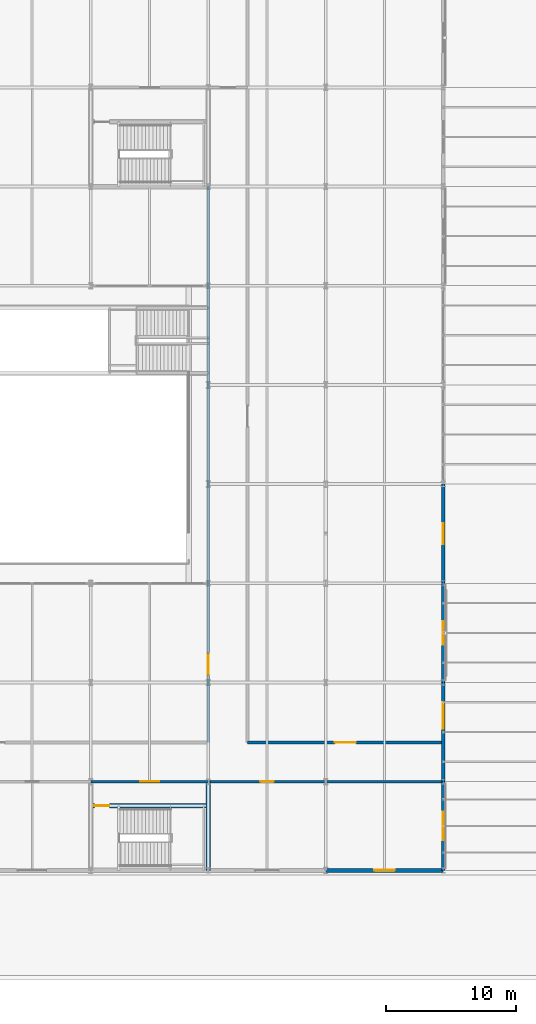
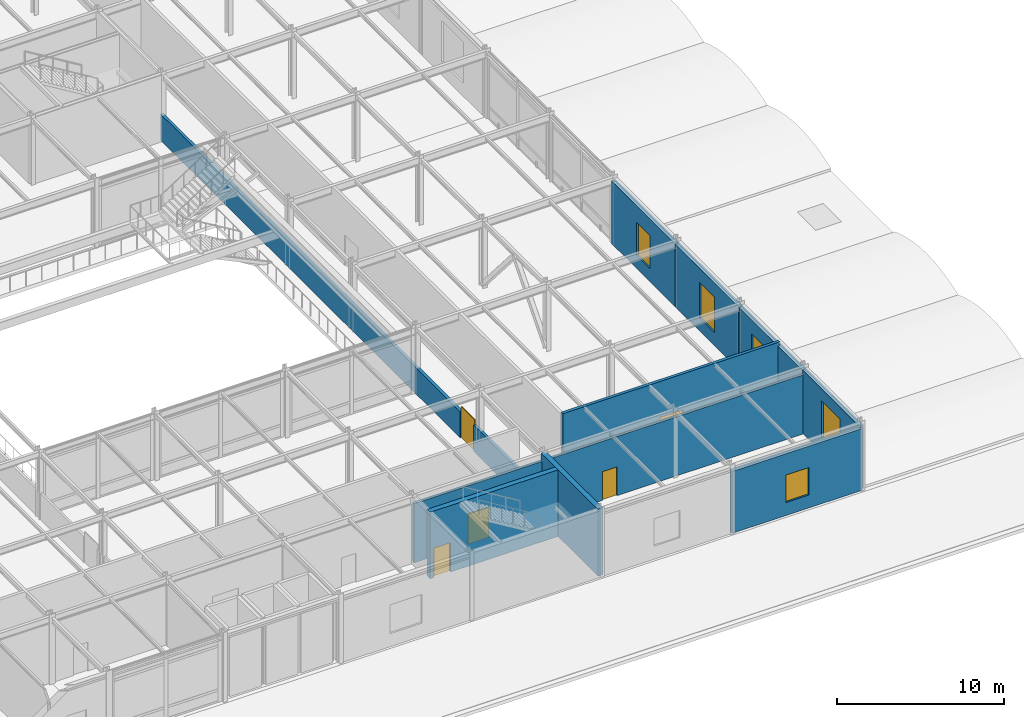
# One storey, part 102 of 113: 11 walls, 5 doors, 5 windows, 10 openings.
"""IFC4 building model written with IfcOpenShell, lengths in metres."""

from ifc_helpers import new_model, si_unit, direction, frame, frame_2d, origin, place, context, subcontext, project, spatial, rectangle, extrude, material, layer, layer_set, type_object, element, fill, save


model = new_model("IFC4")

# Units and contexts
model_context = context("Model", 3, precision=1e-05, world=origin(), true_north=direction((0.0, 1.0)))
body_context = subcontext(model_context, "Body", "Model", "MODEL_VIEW")
ifc_project = project(units=[si_unit("LENGTHUNIT", "METRE"), si_unit("AREAUNIT", "SQUARE_METRE"), si_unit("VOLUMEUNIT", "CUBIC_METRE"), si_unit("PLANEANGLEUNIT", "RADIAN"), si_unit("MASSUNIT", "GRAM", prefix="KILO")], contexts=[model_context])

# Site, building, storey
site_placement = place(None, origin())
site = spatial("IfcSite", under=ifc_project, at=site_placement, CompositionType="ELEMENT")
building_placement = place(site_placement, origin())
building = spatial("IfcBuilding", under=site, at=building_placement, Name="Shalkamar Park Central Library", CompositionType="ELEMENT")
storey_placement = place(building_placement, frame((0.0, 0.0, 5.39990234375)))
storey = spatial("IfcBuildingStorey", under=building, at=storey_placement, Name="L02", CompositionType="ELEMENT", Elevation=5.39990234375)

# Wall, opening, door
ifc_material_1 = material(Name="Fire-rated corridor partition wall", Category="masonry")
ifc_layer_1 = layer(ifc_material_1, 0.199951171875)
ifc_layer_set_1 = layer_set([ifc_layer_1], Name="CorridorFireWall_200")
wall_type_1 = type_object("IfcWallType", Name="Corridor Fire Wall 200", PredefinedType="PARTITIONING", material=ifc_layer_set_1)
wall_1_placement = place(storey_placement, frame((246.0, 255.199951171875, 0.0), z_axis=(0.0, 0.0, 1.0), x_axis=(1.0, 0.0, 0.0)))
wall_1 = element("IfcWall", 1, at=wall_1_placement, inside=storey, type_object=wall_type_1, Name="CORE-P3 Vestibule North Wall (L02)", PredefinedType="PARTITIONING", context=body_context, shape_type="SweptSolid", body=[
    extrude(rectangle(XDim=9.0, YDim=0.199951171875, at=frame_2d((4.5, 0.0))), origin(), (0.0, 0.0, 1.0), 4.30810546875),
])
opening_1_placement = place(wall_1_placement, frame((3.77490234375, 0.0, 0.0)))
opening_1 = element("IfcOpeningElement", 2, at=opening_1_placement, cuts=wall_1, Name="Opening DR-ST-P3-L02-VEST", PredefinedType="OPENING", context=body_context, shape_type="SweptSolid", body=[
    extrude(rectangle(XDim=1.449951171875, YDim=2.199951171875, at=frame_2d((0.72509765625, 1.10009765625))), frame((0.0, 0.11474609375, 0.0), z_axis=(0.0, -1.0, 0.0), x_axis=(1.0, 0.0, 0.0)), (0.0, 0.0, 1.0), 0.229736328125),
])
ifc_material_2 = material(Name="Steel S355", Category="steel")
door_type_1 = type_object("IfcDoorType", Name="Stair Vestibule Door 1450x2200", OperationType="DOUBLE_DOOR_SINGLE_SWING", PredefinedType="DOOR", material=ifc_material_2)
door_1_placement = place(opening_1_placement, frame((1.449951171875, 0.0, 0.0), z_axis=(0.0, 0.0, 1.0), x_axis=(-1.0, 0.0, 0.0)))
door_1 = element("IfcDoor", 3, at=door_1_placement, inside=storey, type_object=door_type_1, Name="Protected Stair ST-P3 Vestibule Door (L02)", OperationType="DOUBLE_DOOR_SINGLE_SWING", OverallHeight=2.199951171875, OverallWidth=1.449951171875, PredefinedType="DOOR", context=body_context, shape_type="SweptSolid", body=[
    extrude(rectangle(XDim=1.449951171875, YDim=2.199951171875, at=frame_2d((0.72509765625, 1.10009765625))), frame((0.0, 0.02490234375, 0.0), z_axis=(0.0, -1.0, 0.0), x_axis=(1.0, 0.0, 0.0)), (0.0, 0.0, 1.0), 0.050048828125),
])
fill(opening_1, door_1)

wall_2_placement = place(storey_placement, frame((255.0, 255.199951171875, 0.0), z_axis=(0.0, 0.0, 1.0), x_axis=(1.0, 0.0, 0.0)))
wall_2 = element("IfcWall", 4, at=wall_2_placement, inside=storey, type_object=wall_type_1, Name="Interior Partition WL-INT-L02-017", PredefinedType="PARTITIONING", context=body_context, shape_type="SweptSolid", body=[
    extrude(rectangle(XDim=18.0, YDim=0.199951171875, at=frame_2d((9.0, 0.0))), origin(), (0.0, 0.0, 1.0), 4.30810546875),
])
opening_2_placement = place(wall_2_placement, frame((4.0, 0.0, 0.0)))
opening_2 = element("IfcOpeningElement", 5, at=opening_2_placement, cuts=wall_2, Name="Opening DR-L02-017", PredefinedType="OPENING", context=body_context, shape_type="SweptSolid", body=[
    extrude(rectangle(XDim=1.0, YDim=2.10009765625, at=frame_2d((0.5, 1.050048828125))), frame((0.0, 0.11474609375, 0.0), z_axis=(0.0, -1.0, 0.0), x_axis=(1.0, 0.0, 0.0)), (0.0, 0.0, 1.0), 0.229736328125),
])
door_type_2 = type_object("IfcDoorType", Name="Interior Door Single 1000x2100", OperationType="NOTDEFINED", PredefinedType="DOOR", material=ifc_material_2)
door_2_placement = place(opening_2_placement, frame((1.0, 0.0, 0.0), z_axis=(0.0, 0.0, 1.0), x_axis=(-1.0, 0.0, 0.0)))
door_2 = element("IfcDoor", 6, at=door_2_placement, inside=storey, type_object=door_type_2, Name="L02 East Studio Door", OperationType="SINGLE_SWING_RIGHT", OverallHeight=2.10009765625, OverallWidth=1.0, PredefinedType="DOOR", context=body_context, shape_type="SweptSolid", body=[
    extrude(rectangle(XDim=1.0, YDim=2.10009765625, at=frame_2d((0.5, 1.050048828125))), frame((0.0, 0.02490234375, 0.0), z_axis=(0.0, -1.0, 0.0), x_axis=(1.0, 0.0, 0.0)), (0.0, 0.0, 1.0), 0.050048828125),
])
fill(opening_2, door_2)

wall_3_placement = place(storey_placement, frame((255.0, 258.199951171875, 0.0), z_axis=(0.0, 0.0, 1.0), x_axis=(0.0, 1.0, 0.0)))
wall_3 = element("IfcWall", 7, at=wall_3_placement, inside=storey, type_object=wall_type_1, Name="Interior Partition WL-INT-L02-027", PredefinedType="PARTITIONING", context=body_context, shape_type="SweptSolid", body=[
    extrude(rectangle(XDim=42.60009765625, YDim=0.199951171875, at=frame_2d((21.300048828125, 0.0))), origin(), (0.0, 0.0, 1.0), 1.908203125),
])
opening_3_placement = place(wall_3_placement, frame((5.199951171875, 0.0, 0.0)))
opening_3 = element("IfcOpeningElement", 8, at=opening_3_placement, cuts=wall_3, Name="Opening DR-L02-031", PredefinedType="OPENING", context=body_context, shape_type="SweptSolid", body=[
    extrude(rectangle(XDim=1.60009765625, YDim=2.25, at=frame_2d((0.800048828125, 1.125))), frame((0.0, 0.11474609375, 0.0), z_axis=(0.0, -1.0, 0.0), x_axis=(1.0, 0.0, 0.0)), (0.0, 0.0, 1.0), 0.229736328125),
])
door_type_3 = type_object("IfcDoorType", Name="Interior Door Double 1600x2250", OperationType="DOUBLE_DOOR_SINGLE_SWING", PredefinedType="DOOR", material=ifc_material_2)
door_3_placement = place(opening_3_placement, origin())
door_3 = element("IfcDoor", 9, at=door_3_placement, inside=storey, type_object=door_type_3, Name="Atrium East Corridor Door", OperationType="DOUBLE_DOOR_SINGLE_SWING", OverallHeight=2.25, OverallWidth=1.60009765625, PredefinedType="DOOR", context=body_context, shape_type="SweptSolid", body=[
    extrude(rectangle(XDim=1.60009765625, YDim=2.25, at=frame_2d((0.800048828125, 1.125))), frame((0.0, 0.02490234375, 0.0), z_axis=(0.0, -1.0, 0.0), x_axis=(1.0, 0.0, 0.0)), (0.0, 0.0, 1.0), 0.050048828125),
])
fill(opening_3, door_3)

wall_4_placement = place(storey_placement, frame((258.0, 258.199951171875, 0.0), z_axis=(0.0, 0.0, 1.0), x_axis=(1.0, 0.0, 0.0)))
wall_4 = element("IfcWall", 10, at=wall_4_placement, inside=storey, type_object=wall_type_1, Name="Interior Partition WL-INT-L02-029", PredefinedType="PARTITIONING", context=body_context, shape_type="SweptSolid", body=[
    extrude(rectangle(XDim=15.0, YDim=0.199951171875, at=frame_2d((7.5, 0.0))), origin(), (0.0, 0.0, 1.0), 4.860107421875),
])
opening_4_placement = place(wall_4_placement, frame((6.699951171875, 0.0, 0.0)))
opening_4 = element("IfcOpeningElement", 11, at=opening_4_placement, cuts=wall_4, Name="Opening DR-L02-035", PredefinedType="OPENING", context=body_context, shape_type="SweptSolid", body=[
    extrude(rectangle(XDim=1.60009765625, YDim=2.25, at=frame_2d((0.800048828125, 1.125))), frame((0.0, 0.11474609375, 0.0), z_axis=(0.0, -1.0, 0.0), x_axis=(1.0, 0.0, 0.0)), (0.0, 0.0, 1.0), 0.229736328125),
])
door_4_placement = place(opening_4_placement, origin())
door_4 = element("IfcDoor", 12, at=door_4_placement, inside=storey, type_object=door_type_3, Name="Foreign Literature Reading Room Door", OperationType="DOUBLE_DOOR_SINGLE_SWING", OverallHeight=2.25, OverallWidth=1.60009765625, PredefinedType="DOOR", context=body_context, shape_type="SweptSolid", body=[
    extrude(rectangle(XDim=1.60009765625, YDim=2.25, at=frame_2d((0.800048828125, 1.125))), frame((0.0, 0.02490234375, 0.0), z_axis=(0.0, -1.0, 0.0), x_axis=(1.0, 0.0, 0.0)), (0.0, 0.0, 1.0), 0.050048828125),
])
fill(opening_4, door_4)

# Wall
ifc_material_3 = material(Name="Concrete C40/50", Category="concrete")
ifc_layer_2 = layer(ifc_material_3, 0.35009765625)
ifc_layer_set_2 = layer_set([ifc_layer_2], Name="Concrete C40/50")
wall_type_2 = type_object("IfcWallType", Name="Podium Core Shear Wall 350", PredefinedType="SHEAR", material=ifc_layer_set_2)
wall_5_placement = place(storey_placement, frame((255.0, 248.39990234375, 0.0), z_axis=(0.0, 0.0, 1.0), x_axis=(0.0, 1.0, 0.0)))
element("IfcWall", 13, at=wall_5_placement, inside=storey, type_object=wall_type_2, Name="CORE-P3 East Shear Wall (L02)", PredefinedType="SHEAR", context=body_context, shape_type="SweptSolid", body=[
    extrude(rectangle(XDim=6.800048828125, YDim=0.35009765625, at=frame_2d((3.39990234375, 0.0))), origin(), (0.0, 0.0, 1.0), 4.860107421875),
])

# Wall, opening, door
wall_6_placement = place(storey_placement, frame((246.0, 253.35009765625, 0.0), z_axis=(0.0, 0.0, 1.0), x_axis=(1.0, 0.0, 0.0)))
wall_6 = element("IfcWall", 14, at=wall_6_placement, inside=storey, type_object=wall_type_2, Name="CORE-P3 Stairwell Wall (L02)", PredefinedType="SHEAR", context=body_context, shape_type="SweptSolid", body=[
    extrude(rectangle(XDim=9.0, YDim=0.35009765625, at=frame_2d((4.5, 0.0))), origin(), (0.0, 0.0, 1.0), 4.860107421875),
])
opening_5_placement = place(wall_6_placement, frame((0.27490234375, 0.0, 0.0)))
opening_5 = element("IfcOpeningElement", 15, at=opening_5_placement, cuts=wall_6, Name="Opening DR-ST-P3-L02-IN", PredefinedType="OPENING", context=body_context, shape_type="SweptSolid", body=[
    extrude(rectangle(XDim=1.14990234375, YDim=2.14990234375, at=frame_2d((0.574951171875, 1.074951171875))), frame((0.0, 0.18994140625, 0.0), z_axis=(0.0, -1.0, 0.0), x_axis=(1.0, 0.0, 0.0)), (0.0, 0.0, 1.0), 0.3798828125),
])
door_type_4 = type_object("IfcDoorType", Name="Stair Core Exit Door 1150x2150", OperationType="NOTDEFINED", PredefinedType="DOOR", material=ifc_material_2)
door_5_placement = place(opening_5_placement, frame((1.14990234375, 0.0, 0.0), z_axis=(0.0, 0.0, 1.0), x_axis=(-1.0, 0.0, 0.0)))
door_5 = element("IfcDoor", 16, at=door_5_placement, inside=storey, type_object=door_type_4, Name="Protected Stair ST-P3 Exit Door (L02)", OperationType="SINGLE_SWING_RIGHT", OverallHeight=2.14990234375, OverallWidth=1.14990234375, PredefinedType="DOOR", context=body_context, shape_type="SweptSolid", body=[
    extrude(rectangle(XDim=1.14990234375, YDim=2.14990234375, at=frame_2d((0.574951171875, 1.074951171875))), frame((0.0, 0.02490234375, 0.0), z_axis=(0.0, -1.0, 0.0), x_axis=(1.0, 0.0, 0.0)), (0.0, 0.0, 1.0), 0.050048828125),
])
fill(opening_5, door_5)

# Wall, opening, window
ifc_material_4 = material(Name="Travertine insulated rainscreen", Category="masonry")
ifc_layer_3 = layer(ifc_material_4, 0.2900390625)
ifc_layer_set_3 = layer_set([ifc_layer_3], Name="TravertineTerracottaWall_290")
wall_type_3 = type_object("IfcWallType", Name="Travertine Terracotta Wall 290", PredefinedType="SOLIDWALL", material=ifc_layer_set_3)
wall_7_placement = place(storey_placement, frame((264.006103515625, 248.39990234375, 0.0), z_axis=(0.0, 0.0, 1.0), x_axis=(1.0, 0.0, 0.0)))
wall_7 = element("IfcWall", 17, at=wall_7_placement, inside=storey, type_object=wall_type_3, Name="Exterior Facade Wall WL-EXT-L02-064", PredefinedType="SOLIDWALL", context=body_context, shape_type="SweptSolid", body=[
    extrude(rectangle(XDim=8.98779296875, YDim=0.2900390625, at=frame_2d((4.493896484375, 0.0))), origin(), (0.0, 0.0, 1.0), 4.508056640625),
])
opening_6_placement = place(wall_7_placement, frame((3.694091796875, 0.0, 0.949951171875)))
opening_6 = element("IfcOpeningElement", 18, at=opening_6_placement, cuts=wall_7, Name="Opening WN-13", PredefinedType="OPENING", context=body_context, shape_type="SweptSolid", body=[
    extrude(rectangle(XDim=1.60009765625, YDim=2.0, at=frame_2d((0.800048828125, 1.0))), frame((0.0, 0.159912109375, 0.0), z_axis=(0.0, -1.0, 0.0), x_axis=(1.0, 0.0, 0.0)), (0.0, 0.0, 1.0), 0.31982421875),
])
ifc_material_5 = material(Name="Thermally broken aluminium and triple low-e glass", Category="glass")
window_type_1 = type_object("IfcWindowType", Name="Tower Window 1600x2000", PartitioningType="SINGLE_PANEL", PredefinedType="WINDOW", material=ifc_material_5)
window_1_placement = place(opening_6_placement, origin())
window_1 = element("IfcWindow", 19, at=window_1_placement, inside=storey, type_object=window_type_1, Name="Facade Window WN-L02-032", OverallHeight=2.0, OverallWidth=1.60009765625, PartitioningType="SINGLE_PANEL", PredefinedType="WINDOW", context=body_context, shape_type="SweptSolid", body=[
    extrude(rectangle(XDim=1.60009765625, YDim=2.0, at=frame_2d((0.800048828125, 1.0))), frame((0.0, 0.030029296875, 0.0), z_axis=(0.0, -1.0, 0.0), x_axis=(1.0, 0.0, 0.0)), (0.0, 0.0, 1.0), 0.06005859375),
])
fill(opening_6, window_1)

wall_8_placement = place(storey_placement, frame((273.0, 248.406005859375, 0.0), z_axis=(0.0, 0.0, 1.0), x_axis=(0.0, 1.0, 0.0)))
wall_8 = element("IfcWall", 20, at=wall_8_placement, inside=storey, type_object=wall_type_3, Name="Exterior Facade Wall WL-EXT-L02-076", PredefinedType="SOLIDWALL", context=body_context, shape_type="SweptSolid", body=[
    extrude(rectangle(XDim=6.7880859375, YDim=0.2900390625, at=frame_2d((3.39404296875, 0.0))), origin(), (0.0, 0.0, 1.0), 4.628173828125),
])
opening_7_placement = place(wall_8_placement, frame((2.2939453125, 0.0, 0.949951171875)))
opening_7 = element("IfcOpeningElement", 21, at=opening_7_placement, cuts=wall_8, Name="Opening WN-04", PredefinedType="OPENING", context=body_context, shape_type="SweptSolid", body=[
    extrude(rectangle(XDim=2.199951171875, YDim=2.800048828125, at=frame_2d((1.10009765625, 1.39990234375))), frame((0.0, 0.159912109375, 0.0), z_axis=(0.0, -1.0, 0.0), x_axis=(1.0, 0.0, 0.0)), (0.0, 0.0, 1.0), 0.31982421875),
])
window_type_2 = type_object("IfcWindowType", Name="Podium Window 2200x2800", PartitioningType="DOUBLE_PANEL_VERTICAL", PredefinedType="WINDOW", material=ifc_material_5)
window_2_placement = place(opening_7_placement, origin())
window_2 = element("IfcWindow", 22, at=window_2_placement, inside=storey, type_object=window_type_2, Name="Facade Window WN-L02-041", OverallHeight=2.800048828125, OverallWidth=2.199951171875, PartitioningType="DOUBLE_PANEL_VERTICAL", PredefinedType="WINDOW", context=body_context, shape_type="SweptSolid", body=[
    extrude(rectangle(XDim=2.199951171875, YDim=2.800048828125, at=frame_2d((1.10009765625, 1.39990234375))), frame((0.0, 0.030029296875, 0.0), z_axis=(0.0, -1.0, 0.0), x_axis=(1.0, 0.0, 0.0)), (0.0, 0.0, 1.0), 0.06005859375),
])
fill(opening_7, window_2)

wall_9_placement = place(storey_placement, frame((273.0, 255.2060546875, 0.0), z_axis=(0.0, 0.0, 1.0), x_axis=(0.0, 1.0, 0.0)))
wall_9 = element("IfcWall", 23, at=wall_9_placement, inside=storey, type_object=wall_type_3, Name="Exterior Facade Wall WL-EXT-L02-077", PredefinedType="SOLIDWALL", context=body_context, shape_type="SweptSolid", body=[
    extrude(rectangle(XDim=7.587890625, YDim=0.2900390625, at=frame_2d((3.7939453125, 0.0))), origin(), (0.0, 0.0, 1.0), 4.588134765625),
])
opening_8_placement = place(wall_9_placement, frame((4.06591796875, 0.0, 0.949951171875)))
opening_8 = element("IfcOpeningElement", 24, at=opening_8_placement, cuts=wall_9, Name="Opening WN-05", PredefinedType="OPENING", context=body_context, shape_type="SweptSolid", body=[
    extrude(rectangle(XDim=2.0, YDim=2.60009765625, at=frame_2d((1.0, 1.300048828125))), frame((0.0, 0.159912109375, 0.0), z_axis=(0.0, -1.0, 0.0), x_axis=(1.0, 0.0, 0.0)), (0.0, 0.0, 1.0), 0.31982421875),
])
window_type_3 = type_object("IfcWindowType", Name="Podium Window 2000x2600", PartitioningType="DOUBLE_PANEL_VERTICAL", PredefinedType="WINDOW", material=ifc_material_5)
window_3_placement = place(opening_8_placement, origin())
window_3 = element("IfcWindow", 25, at=window_3_placement, inside=storey, type_object=window_type_3, Name="Facade Window WN-L02-042", OverallHeight=2.60009765625, OverallWidth=2.0, PartitioningType="DOUBLE_PANEL_VERTICAL", PredefinedType="WINDOW", context=body_context, shape_type="SweptSolid", body=[
    extrude(rectangle(XDim=2.0, YDim=2.60009765625, at=frame_2d((1.0, 1.300048828125))), frame((0.0, 0.030029296875, 0.0), z_axis=(0.0, -1.0, 0.0), x_axis=(1.0, 0.0, 0.0)), (0.0, 0.0, 1.0), 0.06005859375),
])
fill(opening_8, window_3)

wall_10_placement = place(storey_placement, frame((273.0, 262.805908203125, 0.0), z_axis=(0.0, 0.0, 1.0), x_axis=(0.0, 1.0, 0.0)))
wall_10 = element("IfcWall", 26, at=wall_10_placement, inside=storey, type_object=wall_type_3, Name="Exterior Facade Wall WL-EXT-L02-078", PredefinedType="SOLIDWALL", context=body_context, shape_type="SweptSolid", body=[
    extrude(rectangle(XDim=7.588134765625, YDim=0.2900390625, at=frame_2d((3.7939453125, 0.0))), origin(), (0.0, 0.0, 1.0), 4.588134765625),
])
opening_9_placement = place(wall_10_placement, frame((2.89404296875, 0.0, 0.949951171875)))
opening_9 = element("IfcOpeningElement", 27, at=opening_9_placement, cuts=wall_10, Name="Opening WN-06", PredefinedType="OPENING", context=body_context, shape_type="SweptSolid", body=[
    extrude(rectangle(XDim=1.800048828125, YDim=2.60009765625, at=frame_2d((0.89990234375, 1.300048828125))), frame((0.0, 0.159912109375, 0.0), z_axis=(0.0, -1.0, 0.0), x_axis=(1.0, 0.0, 0.0)), (0.0, 0.0, 1.0), 0.31982421875),
])
window_type_4 = type_object("IfcWindowType", Name="Podium Window 1800x2600", PartitioningType="DOUBLE_PANEL_VERTICAL", PredefinedType="WINDOW", material=ifc_material_5)
window_4_placement = place(opening_9_placement, origin())
window_4 = element("IfcWindow", 28, at=window_4_placement, inside=storey, type_object=window_type_4, Name="Facade Window WN-L02-043", OverallHeight=2.60009765625, OverallWidth=1.800048828125, PartitioningType="DOUBLE_PANEL_VERTICAL", PredefinedType="WINDOW", context=body_context, shape_type="SweptSolid", body=[
    extrude(rectangle(XDim=1.800048828125, YDim=2.60009765625, at=frame_2d((0.89990234375, 1.300048828125))), frame((0.0, 0.030029296875, 0.0), z_axis=(0.0, -1.0, 0.0), x_axis=(1.0, 0.0, 0.0)), (0.0, 0.0, 1.0), 0.06005859375),
])
fill(opening_9, window_4)

wall_11_placement = place(storey_placement, frame((273.0, 270.406005859375, 0.0), z_axis=(0.0, 0.0, 1.0), x_axis=(0.0, 1.0, 0.0)))
wall_11 = element("IfcWall", 29, at=wall_11_placement, inside=storey, type_object=wall_type_3, Name="Exterior Facade Wall WL-EXT-L02-079", PredefinedType="SOLIDWALL", context=body_context, shape_type="SweptSolid", body=[
    extrude(rectangle(XDim=7.587890625, YDim=0.2900390625, at=frame_2d((3.7939453125, 0.0))), origin(), (0.0, 0.0, 1.0), 4.588134765625),
])
opening_10_placement = place(wall_11_placement, frame((2.993896484375, 0.0, 0.949951171875)))
opening_10 = element("IfcOpeningElement", 30, at=opening_10_placement, cuts=wall_11, Name="Opening WN-07", PredefinedType="OPENING", context=body_context, shape_type="SweptSolid", body=[
    extrude(rectangle(XDim=1.60009765625, YDim=2.39990234375, at=frame_2d((0.800048828125, 1.199951171875))), frame((0.0, 0.159912109375, 0.0), z_axis=(0.0, -1.0, 0.0), x_axis=(1.0, 0.0, 0.0)), (0.0, 0.0, 1.0), 0.31982421875),
])
window_type_5 = type_object("IfcWindowType", Name="Podium Window 1600x2400", PartitioningType="SINGLE_PANEL", PredefinedType="WINDOW", material=ifc_material_5)
window_5_placement = place(opening_10_placement, origin())
window_5 = element("IfcWindow", 31, at=window_5_placement, inside=storey, type_object=window_type_5, Name="Facade Window WN-L02-044", OverallHeight=2.39990234375, OverallWidth=1.60009765625, PartitioningType="SINGLE_PANEL", PredefinedType="WINDOW", context=body_context, shape_type="SweptSolid", body=[
    extrude(rectangle(XDim=1.60009765625, YDim=2.39990234375, at=frame_2d((0.800048828125, 1.199951171875))), frame((0.0, 0.030029296875, 0.0), z_axis=(0.0, -1.0, 0.0), x_axis=(1.0, 0.0, 0.0)), (0.0, 0.0, 1.0), 0.06005859375),
])
fill(opening_10, window_5)

save(model, "model.ifc")
